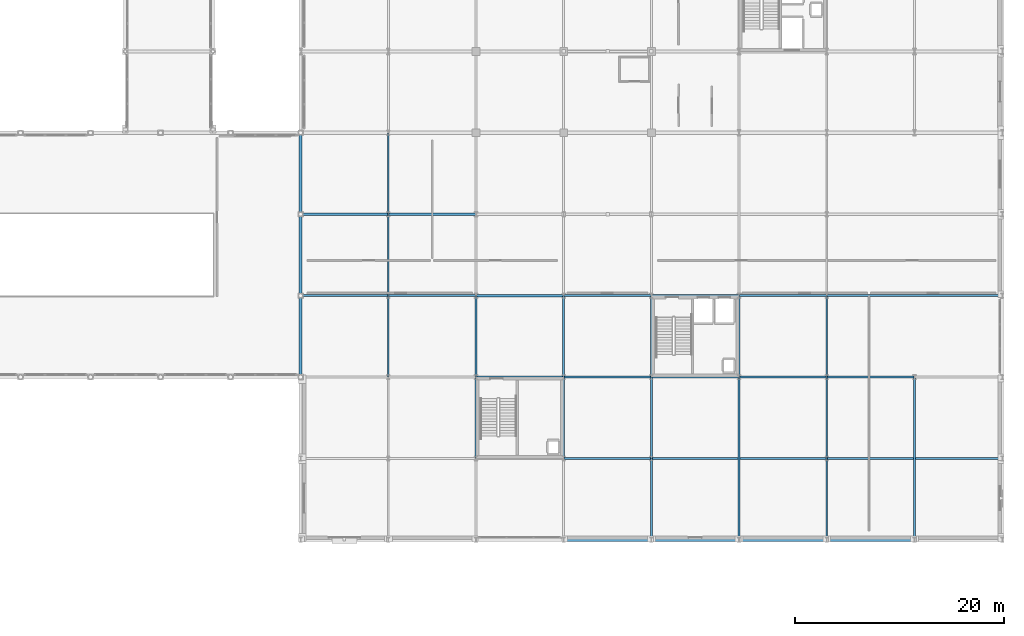
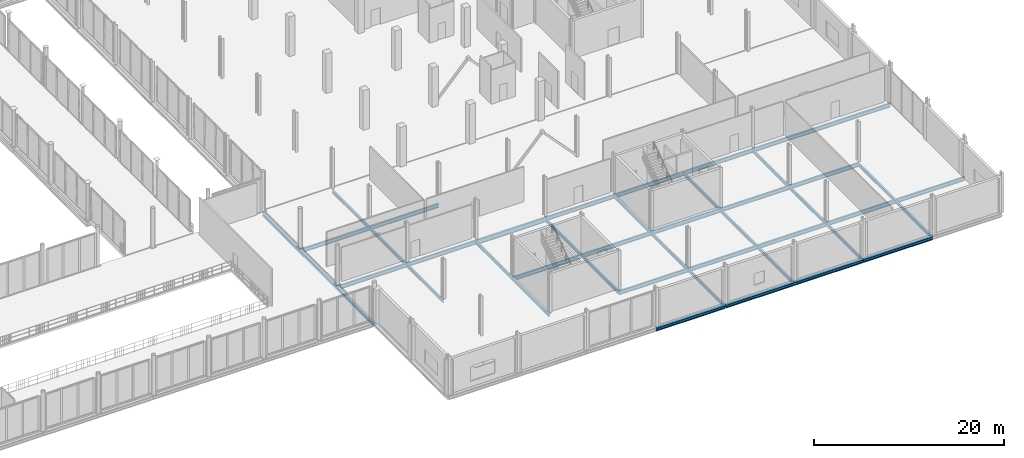
# One storey, part 54 of 105: 40 beams.
"""IFC4 building model written with IfcOpenShell, lengths in metres."""

from ifc_helpers import new_model, si_unit, direction, frame, origin, origin_2d, place, context, subcontext, project, spatial, i_section, extrude, material, material_profile, profile_set, type_object, element, save


model = new_model("IFC4")

# Units and contexts
model_context = context("Model", 3, precision=1e-05, world=origin(), true_north=direction((0.0, 1.0)))
body_context = subcontext(model_context, "Body", "Model", "MODEL_VIEW")
ifc_project = project(units=[si_unit("LENGTHUNIT", "METRE"), si_unit("AREAUNIT", "SQUARE_METRE"), si_unit("VOLUMEUNIT", "CUBIC_METRE"), si_unit("PLANEANGLEUNIT", "RADIAN"), si_unit("MASSUNIT", "GRAM", prefix="KILO")], contexts=[model_context])

# Site, building, storey
site_placement = place(None, origin())
site = spatial("IfcSite", under=ifc_project, at=site_placement, CompositionType="ELEMENT")
building_placement = place(site_placement, origin())
building = spatial("IfcBuilding", under=site, at=building_placement, Name="Nabrawat Pavilion Hospital", CompositionType="ELEMENT")
storey_placement = place(building_placement, frame((0.0, 0.0, 5.10009765625)))
storey = spatial("IfcBuildingStorey", under=building, at=storey_placement, Name="L01", CompositionType="ELEMENT", Elevation=5.10009765625)

# Beams
ifc_material = material(Name="Steel S355", Category="steel")
ifc_material_profile_1 = material_profile(ifc_material, i_section(OverallWidth=0.300048828125, OverallDepth=0.389892578125, WebThickness=0.010986328125, FlangeThickness=0.01904296875, FilletRadius=0.027099609375, at=origin_2d()), Name="HEA 400")
ifc_profile_set_1 = profile_set([ifc_material_profile_1], Name="Steel S355")
beam_type_1 = type_object("IfcBeamType", Name="Perimeter Moment Spandrel Beam HEA 400", PredefinedType="SPANDREL", material=ifc_profile_set_1)
beam_1_placement = place(storey_placement, frame((151.219970703125, 0.0, -0.425048828125), z_axis=(1.0, 0.0, 0.0), x_axis=(0.0, 1.0, 0.0)))
element("IfcBeam", 1, at=beam_1_placement, inside=storey, type_object=beam_type_1, Name="L01 Primary X Girder 459", PredefinedType="SPANDREL", context=body_context, shape_type="SweptSolid", body=[
    extrude(i_section(OverallWidth=0.300048828125, OverallDepth=0.389892578125, WebThickness=0.010986328125, FlangeThickness=0.01904296875, FilletRadius=0.027099609375, at=origin_2d()), origin(), (0.0, 0.0, 1.0), 8.360107421875),
])
for number, where, z_axis, x_axis, name in (
    (2, (159.6201171875, 0.0, -0.425048828125), (1.0, 0.0, 0.0), (0.0, 1.0, 0.0), "L01 Primary X Girder 460"),
    (3, (168.02001953125, 0.0, -0.425048828125), (1.0, 0.0, 0.0), (0.0, 1.0, 0.0), "L01 Primary X Girder 461"),
):
    element("IfcBeam", number, at=place(storey_placement, frame(where, z_axis=z_axis, x_axis=x_axis)), inside=storey, type_object=beam_type_1, Name=name, PredefinedType="SPANDREL", context=body_context, shape_type="SweptSolid", body=[
        extrude(i_section(OverallWidth=0.300048828125, OverallDepth=0.389892578125, WebThickness=0.010986328125, FlangeThickness=0.01904296875, FilletRadius=0.027099609375, at=origin_2d()), origin(), (0.0, 0.0, 1.0), 8.35986328125),
    ])
beam_2_placement = place(storey_placement, frame((176.419921875, 0.0, -0.425048828125), z_axis=(1.0, 0.0, 0.0), x_axis=(0.0, 1.0, 0.0)))
element("IfcBeam", 4, at=beam_2_placement, inside=storey, type_object=beam_type_1, Name="L01 Primary X Girder 462", PredefinedType="SPANDREL", context=body_context, shape_type="SweptSolid", body=[
    extrude(i_section(OverallWidth=0.300048828125, OverallDepth=0.389892578125, WebThickness=0.010986328125, FlangeThickness=0.01904296875, FilletRadius=0.027099609375, at=origin_2d()), origin(), (0.0, 0.0, 1.0), 8.360107421875),
])
beam_3_placement = place(storey_placement, frame((126.0, 15.6201171875, -0.43505859375), z_axis=(0.0, 1.0, 0.0), x_axis=(-1.0, 0.0, 0.0)))
element("IfcBeam", 5, at=beam_3_placement, inside=storey, type_object=beam_type_1, Name="L01 Primary Y Beam 800", PredefinedType="SPANDREL", context=body_context, shape_type="SweptSolid", body=[
    extrude(i_section(OverallWidth=0.300048828125, OverallDepth=0.389892578125, WebThickness=0.010986328125, FlangeThickness=0.01904296875, FilletRadius=0.027099609375, at=origin_2d()), origin(), (0.0, 0.0, 1.0), 7.759765625),
])
for number, where, z_axis, x_axis, name in (
    (6, (126.0, 23.419921875, -0.43505859375), (0.0, 1.0, 0.0), (-1.0, 0.0, 0.0), "L01 Primary Y Beam 801"),
    (7, (126.0, 31.219970703125, -0.43505859375), (0.0, 1.0, 0.0), (-1.0, 0.0, 0.0), "L01 Primary Y Beam 802"),
):
    element("IfcBeam", number, at=place(storey_placement, frame(where, z_axis=z_axis, x_axis=x_axis)), inside=storey, type_object=beam_type_1, Name=name, PredefinedType="SPANDREL", context=body_context, shape_type="SweptSolid", body=[
        extrude(i_section(OverallWidth=0.300048828125, OverallDepth=0.389892578125, WebThickness=0.010986328125, FlangeThickness=0.01904296875, FilletRadius=0.027099609375, at=origin_2d()), origin(), (0.0, 0.0, 1.0), 7.760009765625),
    ])
ifc_material_profile_2 = material_profile(ifc_material, i_section(OverallWidth=0.199951171875, OverallDepth=0.5, WebThickness=0.01025390625, FlangeThickness=0.01611328125, FilletRadius=0.02099609375, at=origin_2d()), Name="IPE 500")
ifc_profile_set_2 = profile_set([ifc_material_profile_2], Name="Steel S355")
beam_type_2 = type_object("IfcBeamType", Name="Standard X Floor Girder IPE 500", PredefinedType="USERDEFINED", material=ifc_profile_set_2)
beam_4_placement = place(storey_placement, frame((151.219970703125, 7.800048828125, -0.47998046875), z_axis=(1.0, 0.0, 0.0), x_axis=(0.0, 1.0, 0.0)))
element("IfcBeam", 8, at=beam_4_placement, inside=storey, type_object=beam_type_2, Name="L01 Primary X Girder 469", ObjectType="GIRDER", PredefinedType="USERDEFINED", context=body_context, shape_type="SweptSolid", body=[
    extrude(i_section(OverallWidth=0.199951171875, OverallDepth=0.5, WebThickness=0.01025390625, FlangeThickness=0.01611328125, FilletRadius=0.02099609375, at=origin_2d()), origin(), (0.0, 0.0, 1.0), 8.360107421875),
])
beam_5_placement = place(storey_placement, frame((159.6201171875, 7.800048828125, -0.47998046875), z_axis=(1.0, 0.0, 0.0), x_axis=(0.0, 1.0, 0.0)))
element("IfcBeam", 9, at=beam_5_placement, inside=storey, type_object=beam_type_2, Name="L01 Primary X Girder 470", ObjectType="GIRDER", PredefinedType="USERDEFINED", context=body_context, shape_type="SweptSolid", body=[
    extrude(i_section(OverallWidth=0.199951171875, OverallDepth=0.5, WebThickness=0.01025390625, FlangeThickness=0.01611328125, FilletRadius=0.02099609375, at=origin_2d()), origin(), (0.0, 0.0, 1.0), 16.759765625),
])
beam_6_placement = place(storey_placement, frame((176.419921875, 7.800048828125, -0.47998046875), z_axis=(1.0, 0.0, 0.0), x_axis=(0.0, 1.0, 0.0)))
element("IfcBeam", 10, at=beam_6_placement, inside=storey, type_object=beam_type_2, Name="L01 Primary X Girder 471", ObjectType="GIRDER", PredefinedType="USERDEFINED", context=body_context, shape_type="SweptSolid", body=[
    extrude(i_section(OverallWidth=0.199951171875, OverallDepth=0.5, WebThickness=0.01025390625, FlangeThickness=0.01611328125, FilletRadius=0.02099609375, at=origin_2d()), origin(), (0.0, 0.0, 1.0), 16.760009765625),
])
beam_7_placement = place(storey_placement, frame((142.820068359375, 15.60009765625, -0.47998046875), z_axis=(1.0, 0.0, 0.0), x_axis=(0.0, 1.0, 0.0)))
element("IfcBeam", 11, at=beam_7_placement, inside=storey, type_object=beam_type_2, Name="L01 Primary X Girder 487", ObjectType="GIRDER", PredefinedType="USERDEFINED", context=body_context, shape_type="SweptSolid", body=[
    extrude(i_section(OverallWidth=0.199951171875, OverallDepth=0.5, WebThickness=0.01025390625, FlangeThickness=0.01611328125, FilletRadius=0.02099609375, at=origin_2d()), origin(), (0.0, 0.0, 1.0), 8.35986328125),
])
beam_8_placement = place(storey_placement, frame((151.219970703125, 15.60009765625, -0.47998046875), z_axis=(1.0, 0.0, 0.0), x_axis=(0.0, 1.0, 0.0)))
element("IfcBeam", 12, at=beam_8_placement, inside=storey, type_object=beam_type_2, Name="L01 Primary X Girder 488", ObjectType="GIRDER", PredefinedType="USERDEFINED", context=body_context, shape_type="SweptSolid", body=[
    extrude(i_section(OverallWidth=0.199951171875, OverallDepth=0.5, WebThickness=0.01025390625, FlangeThickness=0.01611328125, FilletRadius=0.02099609375, at=origin_2d()), origin(), (0.0, 0.0, 1.0), 8.360107421875),
])
for number, where, z_axis, x_axis, name in (
    (13, (159.6201171875, 15.60009765625, -0.47998046875), (1.0, 0.0, 0.0), (0.0, 1.0, 0.0), "L01 Primary X Girder 489"),
    (14, (168.02001953125, 15.60009765625, -0.47998046875), (1.0, 0.0, 0.0), (0.0, 1.0, 0.0), "L01 Primary X Girder 490"),
):
    element("IfcBeam", number, at=place(storey_placement, frame(where, z_axis=z_axis, x_axis=x_axis)), inside=storey, type_object=beam_type_2, Name=name, ObjectType="GIRDER", PredefinedType="USERDEFINED", context=body_context, shape_type="SweptSolid", body=[
        extrude(i_section(OverallWidth=0.199951171875, OverallDepth=0.5, WebThickness=0.01025390625, FlangeThickness=0.01611328125, FilletRadius=0.02099609375, at=origin_2d()), origin(), (0.0, 0.0, 1.0), 8.35986328125),
    ])
beam_9_placement = place(storey_placement, frame((176.419921875, 15.60009765625, -0.47998046875), z_axis=(1.0, 0.0, 0.0), x_axis=(0.0, 1.0, 0.0)))
element("IfcBeam", 15, at=beam_9_placement, inside=storey, type_object=beam_type_2, Name="L01 Primary X Girder 491", ObjectType="GIRDER", PredefinedType="USERDEFINED", context=body_context, shape_type="SweptSolid", body=[
    extrude(i_section(OverallWidth=0.199951171875, OverallDepth=0.5, WebThickness=0.01025390625, FlangeThickness=0.01611328125, FilletRadius=0.02099609375, at=origin_2d()), origin(), (0.0, 0.0, 1.0), 8.360107421875),
])
beam_10_placement = place(storey_placement, frame((126.02001953125, 23.39990234375, -0.47998046875), z_axis=(1.0, 0.0, 0.0), x_axis=(0.0, 1.0, 0.0)))
element("IfcBeam", 16, at=beam_10_placement, inside=storey, type_object=beam_type_2, Name="L01 Primary X Girder 496", ObjectType="GIRDER", PredefinedType="USERDEFINED", context=body_context, shape_type="SweptSolid", body=[
    extrude(i_section(OverallWidth=0.199951171875, OverallDepth=0.5, WebThickness=0.01025390625, FlangeThickness=0.01611328125, FilletRadius=0.02099609375, at=origin_2d()), origin(), (0.0, 0.0, 1.0), 8.35986328125),
])
for number, where, z_axis, x_axis, name in (
    (17, (134.419921875, 23.39990234375, -0.47998046875), (1.0, 0.0, 0.0), (0.0, 1.0, 0.0), "L01 Primary X Girder 497"),
    (18, (151.219970703125, 23.39990234375, -0.47998046875), (1.0, 0.0, 0.0), (0.0, 1.0, 0.0), "L01 Primary X Girder 499"),
):
    element("IfcBeam", number, at=place(storey_placement, frame(where, z_axis=z_axis, x_axis=x_axis)), inside=storey, type_object=beam_type_2, Name=name, ObjectType="GIRDER", PredefinedType="USERDEFINED", context=body_context, shape_type="SweptSolid", body=[
        extrude(i_section(OverallWidth=0.199951171875, OverallDepth=0.5, WebThickness=0.01025390625, FlangeThickness=0.01611328125, FilletRadius=0.02099609375, at=origin_2d()), origin(), (0.0, 0.0, 1.0), 8.360107421875),
    ])
for number, where, z_axis, x_axis, name in (
    (19, (159.6201171875, 23.39990234375, -0.47998046875), (1.0, 0.0, 0.0), (0.0, 1.0, 0.0), "L01 Primary X Girder 500"),
    (20, (168.02001953125, 23.39990234375, -0.47998046875), (1.0, 0.0, 0.0), (0.0, 1.0, 0.0), "L01 Primary X Girder 501"),
):
    element("IfcBeam", number, at=place(storey_placement, frame(where, z_axis=z_axis, x_axis=x_axis)), inside=storey, type_object=beam_type_2, Name=name, ObjectType="GIRDER", PredefinedType="USERDEFINED", context=body_context, shape_type="SweptSolid", body=[
        extrude(i_section(OverallWidth=0.199951171875, OverallDepth=0.5, WebThickness=0.01025390625, FlangeThickness=0.01611328125, FilletRadius=0.02099609375, at=origin_2d()), origin(), (0.0, 0.0, 1.0), 8.35986328125),
    ])
beam_11_placement = place(storey_placement, frame((176.419921875, 23.39990234375, -0.47998046875), z_axis=(1.0, 0.0, 0.0), x_axis=(0.0, 1.0, 0.0)))
element("IfcBeam", 21, at=beam_11_placement, inside=storey, type_object=beam_type_2, Name="L01 Primary X Girder 502", ObjectType="GIRDER", PredefinedType="USERDEFINED", context=body_context, shape_type="SweptSolid", body=[
    extrude(i_section(OverallWidth=0.199951171875, OverallDepth=0.5, WebThickness=0.01025390625, FlangeThickness=0.01611328125, FilletRadius=0.02099609375, at=origin_2d()), origin(), (0.0, 0.0, 1.0), 16.760009765625),
])
beam_12_placement = place(storey_placement, frame((126.02001953125, 31.199951171875, -0.47998046875), z_axis=(1.0, 0.0, 0.0), x_axis=(0.0, 1.0, 0.0)))
element("IfcBeam", 22, at=beam_12_placement, inside=storey, type_object=beam_type_2, Name="L01 Primary X Girder 505", ObjectType="GIRDER", PredefinedType="USERDEFINED", context=body_context, shape_type="SweptSolid", body=[
    extrude(i_section(OverallWidth=0.199951171875, OverallDepth=0.5, WebThickness=0.01025390625, FlangeThickness=0.01611328125, FilletRadius=0.02099609375, at=origin_2d()), origin(), (0.0, 0.0, 1.0), 8.35986328125),
])
beam_13_placement = place(storey_placement, frame((134.419921875, 31.199951171875, -0.47998046875), z_axis=(1.0, 0.0, 0.0), x_axis=(0.0, 1.0, 0.0)))
element("IfcBeam", 23, at=beam_13_placement, inside=storey, type_object=beam_type_2, Name="L01 Primary X Girder 506", ObjectType="GIRDER", PredefinedType="USERDEFINED", context=body_context, shape_type="SweptSolid", body=[
    extrude(i_section(OverallWidth=0.199951171875, OverallDepth=0.5, WebThickness=0.01025390625, FlangeThickness=0.01611328125, FilletRadius=0.02099609375, at=origin_2d()), origin(), (0.0, 0.0, 1.0), 8.360107421875),
])
ifc_material_profile_3 = material_profile(ifc_material, i_section(OverallWidth=0.179931640625, OverallDepth=0.39990234375, WebThickness=0.008544921875, FlangeThickness=0.013427734375, FilletRadius=0.02099609375, at=origin_2d()), Name="IPE 400")
ifc_profile_set_3 = profile_set([ifc_material_profile_3], Name="Steel S355")
beam_type_3 = type_object("IfcBeamType", Name="Standard Y Floor Beam IPE 400", PredefinedType="BEAM", material=ifc_profile_set_3)
beam_14_placement = place(storey_placement, frame((134.39990234375, 15.6201171875, -0.43017578125), z_axis=(0.0, 1.0, 0.0), x_axis=(-1.0, 0.0, 0.0)))
element("IfcBeam", 24, at=beam_14_placement, inside=storey, type_object=beam_type_3, Name="L01 Primary Y Beam 816", PredefinedType="BEAM", context=body_context, shape_type="SweptSolid", body=[
    extrude(i_section(OverallWidth=0.179931640625, OverallDepth=0.39990234375, WebThickness=0.008544921875, FlangeThickness=0.013427734375, FilletRadius=0.02099609375, at=origin_2d()), origin(), (0.0, 0.0, 1.0), 7.759765625),
])
for number, where, z_axis, x_axis, name in (
    (25, (134.39990234375, 23.419921875, -0.43017578125), (0.0, 1.0, 0.0), (-1.0, 0.0, 0.0), "L01 Primary Y Beam 817"),
    (26, (134.39990234375, 31.219970703125, -0.43017578125), (0.0, 1.0, 0.0), (-1.0, 0.0, 0.0), "L01 Primary Y Beam 818"),
    (27, (142.800048828125, 7.820068359375, -0.43017578125), (0.0, 1.0, 0.0), (-1.0, 0.0, 0.0), "L01 Primary Y Beam 831"),
):
    element("IfcBeam", number, at=place(storey_placement, frame(where, z_axis=z_axis, x_axis=x_axis)), inside=storey, type_object=beam_type_3, Name=name, PredefinedType="BEAM", context=body_context, shape_type="SweptSolid", body=[
        extrude(i_section(OverallWidth=0.179931640625, OverallDepth=0.39990234375, WebThickness=0.008544921875, FlangeThickness=0.013427734375, FilletRadius=0.02099609375, at=origin_2d()), origin(), (0.0, 0.0, 1.0), 7.760009765625),
    ])
beam_15_placement = place(storey_placement, frame((142.800048828125, 15.6201171875, -0.43017578125), z_axis=(0.0, 1.0, 0.0), x_axis=(-1.0, 0.0, 0.0)))
element("IfcBeam", 28, at=beam_15_placement, inside=storey, type_object=beam_type_3, Name="L01 Primary Y Beam 832", PredefinedType="BEAM", context=body_context, shape_type="SweptSolid", body=[
    extrude(i_section(OverallWidth=0.179931640625, OverallDepth=0.39990234375, WebThickness=0.008544921875, FlangeThickness=0.013427734375, FilletRadius=0.02099609375, at=origin_2d()), origin(), (0.0, 0.0, 1.0), 7.759765625),
])
beam_16_placement = place(storey_placement, frame((151.199951171875, 7.820068359375, -0.43017578125), z_axis=(0.0, 1.0, 0.0), x_axis=(-1.0, 0.0, 0.0)))
element("IfcBeam", 29, at=beam_16_placement, inside=storey, type_object=beam_type_3, Name="L01 Primary Y Beam 847", PredefinedType="BEAM", context=body_context, shape_type="SweptSolid", body=[
    extrude(i_section(OverallWidth=0.179931640625, OverallDepth=0.39990234375, WebThickness=0.008544921875, FlangeThickness=0.013427734375, FilletRadius=0.02099609375, at=origin_2d()), origin(), (0.0, 0.0, 1.0), 7.760009765625),
])
beam_17_placement = place(storey_placement, frame((151.199951171875, 15.6201171875, -0.43017578125), z_axis=(0.0, 1.0, 0.0), x_axis=(-1.0, 0.0, 0.0)))
element("IfcBeam", 30, at=beam_17_placement, inside=storey, type_object=beam_type_3, Name="L01 Primary Y Beam 848", PredefinedType="BEAM", context=body_context, shape_type="SweptSolid", body=[
    extrude(i_section(OverallWidth=0.179931640625, OverallDepth=0.39990234375, WebThickness=0.008544921875, FlangeThickness=0.013427734375, FilletRadius=0.02099609375, at=origin_2d()), origin(), (0.0, 0.0, 1.0), 7.759765625),
])
for number, where, z_axis, x_axis, name in (
    (31, (159.60009765625, 0.02001953125, -0.43017578125), (0.0, 1.0, 0.0), (-1.0, 0.0, 0.0), "L01 Primary Y Beam 862"),
    (32, (159.60009765625, 7.820068359375, -0.43017578125), (0.0, 1.0, 0.0), (-1.0, 0.0, 0.0), "L01 Primary Y Beam 863"),
):
    element("IfcBeam", number, at=place(storey_placement, frame(where, z_axis=z_axis, x_axis=x_axis)), inside=storey, type_object=beam_type_3, Name=name, PredefinedType="BEAM", context=body_context, shape_type="SweptSolid", body=[
        extrude(i_section(OverallWidth=0.179931640625, OverallDepth=0.39990234375, WebThickness=0.008544921875, FlangeThickness=0.013427734375, FilletRadius=0.02099609375, at=origin_2d()), origin(), (0.0, 0.0, 1.0), 7.760009765625),
    ])
beam_18_placement = place(storey_placement, frame((159.60009765625, 15.6201171875, -0.43017578125), z_axis=(0.0, 1.0, 0.0), x_axis=(-1.0, 0.0, 0.0)))
element("IfcBeam", 33, at=beam_18_placement, inside=storey, type_object=beam_type_3, Name="L01 Primary Y Beam 864", PredefinedType="BEAM", context=body_context, shape_type="SweptSolid", body=[
    extrude(i_section(OverallWidth=0.179931640625, OverallDepth=0.39990234375, WebThickness=0.008544921875, FlangeThickness=0.013427734375, FilletRadius=0.02099609375, at=origin_2d()), origin(), (0.0, 0.0, 1.0), 7.759765625),
])
beam_19_placement = place(storey_placement, frame((168.0, 0.02001953125, -0.43017578125), z_axis=(0.0, 1.0, 0.0), x_axis=(-1.0, 0.0, 0.0)))
element("IfcBeam", 34, at=beam_19_placement, inside=storey, type_object=beam_type_3, Name="L01 Primary Y Beam 878", PredefinedType="BEAM", context=body_context, shape_type="SweptSolid", body=[
    extrude(i_section(OverallWidth=0.179931640625, OverallDepth=0.39990234375, WebThickness=0.008544921875, FlangeThickness=0.013427734375, FilletRadius=0.02099609375, at=origin_2d()), origin(), (0.0, 0.0, 1.0), 15.56005859375),
])
beam_20_placement = place(storey_placement, frame((168.0, 15.6201171875, -0.43017578125), z_axis=(0.0, 1.0, 0.0), x_axis=(-1.0, 0.0, 0.0)))
element("IfcBeam", 35, at=beam_20_placement, inside=storey, type_object=beam_type_3, Name="L01 Primary Y Beam 879", PredefinedType="BEAM", context=body_context, shape_type="SweptSolid", body=[
    extrude(i_section(OverallWidth=0.179931640625, OverallDepth=0.39990234375, WebThickness=0.008544921875, FlangeThickness=0.013427734375, FilletRadius=0.02099609375, at=origin_2d()), origin(), (0.0, 0.0, 1.0), 7.759765625),
])
for number, where, z_axis, x_axis, name in (
    (36, (176.39990234375, 0.02001953125, -0.43017578125), (0.0, 1.0, 0.0), (-1.0, 0.0, 0.0), "L01 Primary Y Beam 887"),
    (37, (176.39990234375, 7.820068359375, -0.43017578125), (0.0, 1.0, 0.0), (-1.0, 0.0, 0.0), "L01 Primary Y Beam 888"),
):
    element("IfcBeam", number, at=place(storey_placement, frame(where, z_axis=z_axis, x_axis=x_axis)), inside=storey, type_object=beam_type_3, Name=name, PredefinedType="BEAM", context=body_context, shape_type="SweptSolid", body=[
        extrude(i_section(OverallWidth=0.179931640625, OverallDepth=0.39990234375, WebThickness=0.008544921875, FlangeThickness=0.013427734375, FilletRadius=0.02099609375, at=origin_2d()), origin(), (0.0, 0.0, 1.0), 7.760009765625),
    ])
beam_21_placement = place(storey_placement, frame((176.39990234375, 15.6201171875, -0.43017578125), z_axis=(0.0, 1.0, 0.0), x_axis=(-1.0, 0.0, 0.0)))
element("IfcBeam", 38, at=beam_21_placement, inside=storey, type_object=beam_type_3, Name="L01 Primary Y Beam 889", PredefinedType="BEAM", context=body_context, shape_type="SweptSolid", body=[
    extrude(i_section(OverallWidth=0.179931640625, OverallDepth=0.39990234375, WebThickness=0.008544921875, FlangeThickness=0.013427734375, FilletRadius=0.02099609375, at=origin_2d()), origin(), (0.0, 0.0, 1.0), 7.759765625),
])
beam_22_placement = place(storey_placement, frame((184.800048828125, 0.02001953125, -0.43017578125), z_axis=(0.0, 1.0, 0.0), x_axis=(-1.0, 0.0, 0.0)))
element("IfcBeam", 39, at=beam_22_placement, inside=storey, type_object=beam_type_3, Name="L01 Primary Y Beam 903", PredefinedType="BEAM", context=body_context, shape_type="SweptSolid", body=[
    extrude(i_section(OverallWidth=0.179931640625, OverallDepth=0.39990234375, WebThickness=0.008544921875, FlangeThickness=0.013427734375, FilletRadius=0.02099609375, at=origin_2d()), origin(), (0.0, 0.0, 1.0), 15.56005859375),
])
ifc_material_profile_4 = material_profile(ifc_material, i_section(OverallWidth=0.219970703125, OverallDepth=0.60009765625, WebThickness=0.011962890625, FlangeThickness=0.01904296875, FilletRadius=0.02392578125, at=origin_2d()), Name="IPE 600")
ifc_profile_set_4 = profile_set([ifc_material_profile_4], Name="Steel S355")
beam_type_4 = type_object("IfcBeamType", Name="Wide-Bay Floor Girder IPE 600", PredefinedType="USERDEFINED", material=ifc_profile_set_4)
beam_23_placement = place(storey_placement, frame((142.820068359375, 23.39990234375, -0.530029296875), z_axis=(1.0, 0.0, 0.0), x_axis=(0.0, 1.0, 0.0)))
element("IfcBeam", 40, at=beam_23_placement, inside=storey, type_object=beam_type_4, Name="L01 Primary X Girder 498", ObjectType="GIRDER", PredefinedType="USERDEFINED", context=body_context, shape_type="SweptSolid", body=[
    extrude(i_section(OverallWidth=0.219970703125, OverallDepth=0.60009765625, WebThickness=0.011962890625, FlangeThickness=0.01904296875, FilletRadius=0.02392578125, at=origin_2d()), origin(), (0.0, 0.0, 1.0), 8.35986328125),
])

save(model, "model.ifc")
